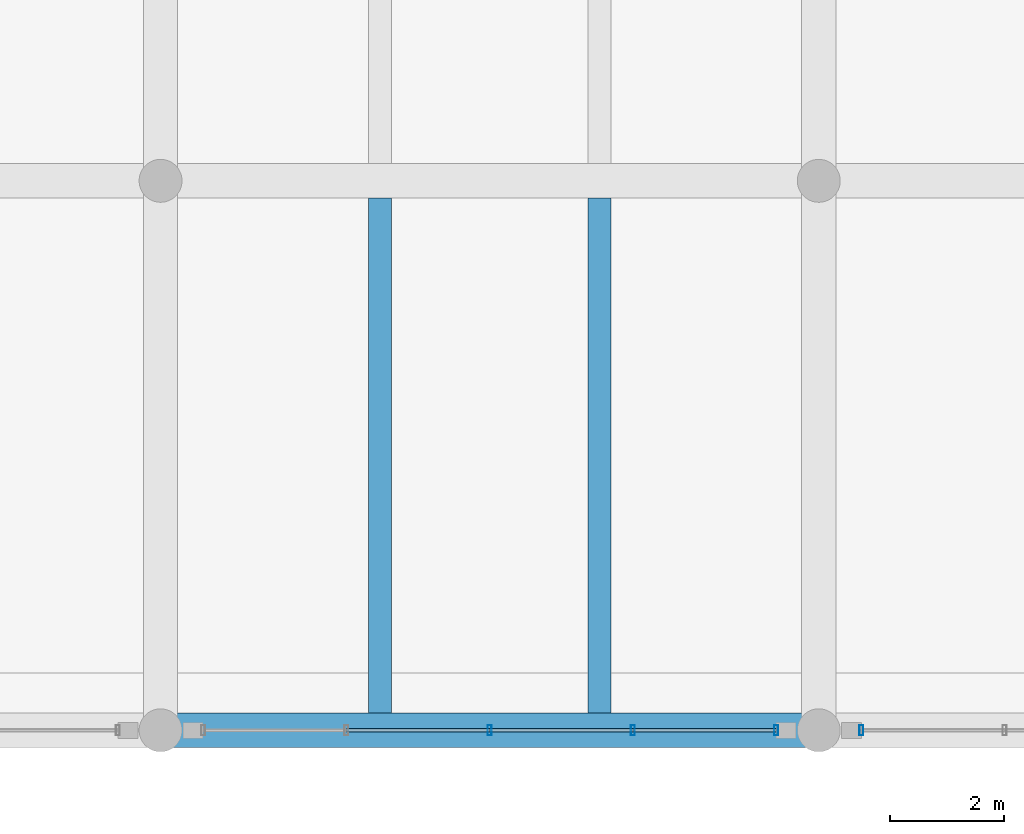
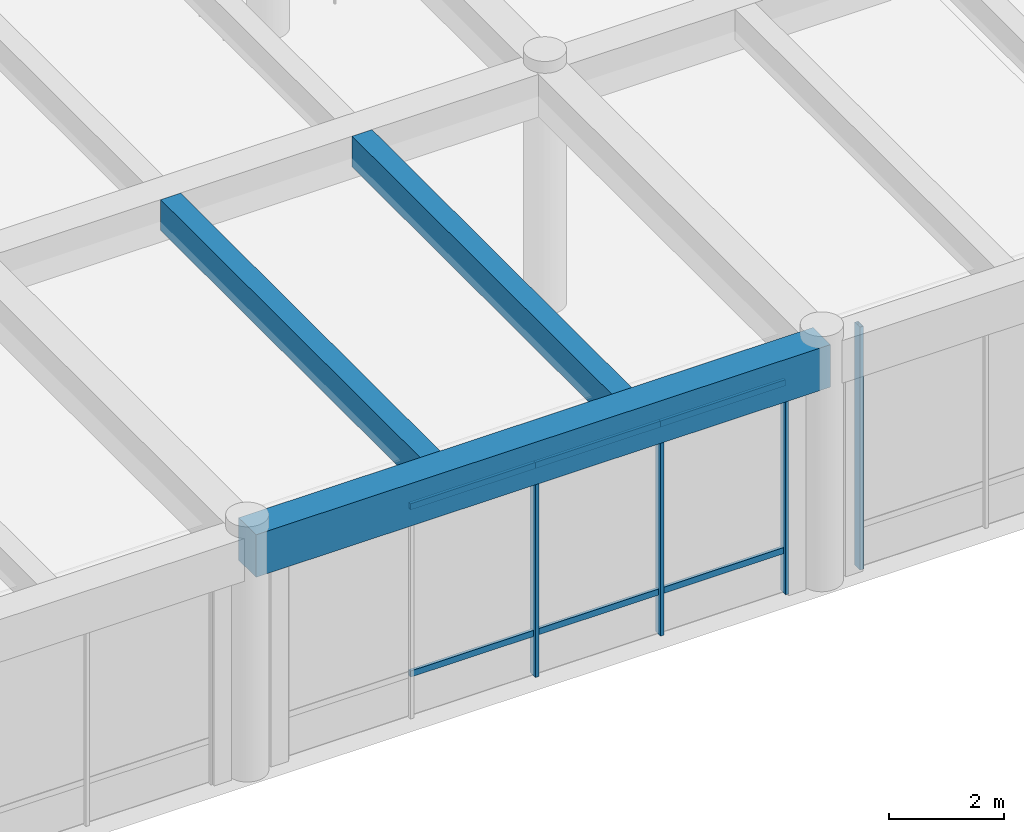
# One storey, part 36 of 148: 10 members, 3 beams, 2 elements without a shape of their own.
"""IFC4 building model written with IfcOpenShell, lengths in metres."""

from ifc_helpers import new_model, si_unit, direction, frame, origin, origin_2d, place, context, subcontext, project, spatial, rectangle, hollow_rectangle, extrude, material, material_profile, profile_set, type_object, element, aggregate, save


model = new_model("IFC4")

# Units and contexts
model_context = context("Model", 3, precision=1e-05, world=origin(), true_north=direction((0.0, 1.0)))
body_context = subcontext(model_context, "Body", "Model", "MODEL_VIEW")
ifc_project = project(units=[si_unit("LENGTHUNIT", "METRE"), si_unit("AREAUNIT", "SQUARE_METRE"), si_unit("VOLUMEUNIT", "CUBIC_METRE"), si_unit("PLANEANGLEUNIT", "RADIAN"), si_unit("MASSUNIT", "GRAM", prefix="KILO")], contexts=[model_context])

# Site, building, storey
site_placement = place(None, origin())
site = spatial("IfcSite", under=ifc_project, at=site_placement, CompositionType="ELEMENT")
building_placement = place(site_placement, origin())
building = spatial("IfcBuilding", under=site, at=building_placement, Name="Ologun Quay Terminus", CompositionType="ELEMENT")
storey_placement = place(building_placement, frame((0.0, 0.0, 8.39990234375)))
storey = spatial("IfcBuildingStorey", under=building, at=storey_placement, Name="L02", CompositionType="ELEMENT", Elevation=8.39990234375)

# Curtain wall, members
ifc_material_1 = material(Name="Aluminium 6063-T6", Category="aluminium")
curtain_wall_type = type_object("IfcCurtainWallType", Name="Concourse Departure Curtain Wall 10700x4950", PredefinedType="USERDEFINED", material=ifc_material_1)
curtain_wall_1_placement = place(storey_placement, origin())
curtain_wall_1 = element("IfcCurtainWall", 1, at=curtain_wall_1_placement, inside=storey, type_object=curtain_wall_type, Name="CW-05 Curtain Wall CW-L02-027", ObjectType="UNITISED CURTAIN WALL", PredefinedType="USERDEFINED")
ifc_material_2 = material(Name="Aluminium 6063-T6", Category="aluminium")
ifc_material_profile_1 = material_profile(ifc_material_2, hollow_rectangle(XDim=0.070068359375, YDim=0.179931640625, WallThickness=0.0048828125, at=origin_2d()), Name="ALU 180x70x5")
ifc_profile_set_1 = profile_set([ifc_material_profile_1], Name="Aluminium 6063-T6")
member_type_1 = type_object("IfcMemberType", Name="Curtain Wall Heavy Mullion 180x70", PredefinedType="MULLION", material=ifc_profile_set_1)
member_1_placement = place(storey_placement, frame((97.75, 8.0, 0.0), z_axis=(0.0, 0.0, 1.0), x_axis=(1.0, 0.0, 0.0)))
member_1 = element("IfcMember", 2, at=member_1_placement, type_object=member_type_1, Name="CW-L02-027 Mullion 3", PredefinedType="MULLION", context=body_context, shape_type="SweptSolid", body=[
    extrude(hollow_rectangle(XDim=0.070068359375, YDim=0.179931640625, WallThickness=0.0048828125, at=origin_2d()), origin(), (0.0, 0.0, 1.0), 5.14013671875),
])
member_2_placement = place(storey_placement, frame((100.25244140625, 8.0, 0.0), z_axis=(0.0, 0.0, 1.0), x_axis=(1.0, 0.0, 0.0)))
member_2 = element("IfcMember", 3, at=member_2_placement, type_object=member_type_1, Name="CW-L02-027 Mullion 4", PredefinedType="MULLION", context=body_context, shape_type="SweptSolid", body=[
    extrude(hollow_rectangle(XDim=0.070068359375, YDim=0.179931640625, WallThickness=0.0048828125, at=origin_2d()), origin(), (0.0, 0.0, 1.0), 5.14013671875),
])
member_3_placement = place(storey_placement, frame((102.7548828125, 8.0, 0.0), z_axis=(0.0, 0.0, 1.0), x_axis=(1.0, 0.0, 0.0)))
member_3 = element("IfcMember", 4, at=member_3_placement, type_object=member_type_1, Name="CW-L02-027 Mullion 5", PredefinedType="MULLION", context=body_context, shape_type="SweptSolid", body=[
    extrude(hollow_rectangle(XDim=0.070068359375, YDim=0.179931640625, WallThickness=0.0048828125, at=origin_2d()), origin(), (0.0, 0.0, 1.0), 5.14013671875),
])

# Curtain wall, member
curtain_wall_2_placement = place(storey_placement, origin())
curtain_wall_2 = element("IfcCurtainWall", 5, at=curtain_wall_2_placement, inside=storey, type_object=curtain_wall_type, Name="CW-05 Curtain Wall CW-L02-028", ObjectType="UNITISED CURTAIN WALL", PredefinedType="USERDEFINED")
member_4_placement = place(storey_placement, frame((104.2451171875, 8.0, 0.0), z_axis=(0.0, 0.0, 1.0), x_axis=(1.0, 0.0, 0.0)))
member_4 = element("IfcMember", 6, at=member_4_placement, type_object=member_type_1, Name="CW-L02-028 Mullion 1", PredefinedType="MULLION", context=body_context, shape_type="SweptSolid", body=[
    extrude(hollow_rectangle(XDim=0.070068359375, YDim=0.179931640625, WallThickness=0.0048828125, at=origin_2d()), origin(), (0.0, 0.0, 1.0), 5.14013671875),
])
aggregate(curtain_wall_2, [member_4])

# Member
ifc_material_3 = material(Name="Aluminium 6063-T6", Category="aluminium")
ifc_material_profile_2 = material_profile(ifc_material_3, hollow_rectangle(XDim=0.06005859375, YDim=0.1298828125, WallThickness=0.00390625, at=origin_2d()), Name="ALU 130x60x4")
ifc_profile_set_2 = profile_set([ifc_material_profile_2], Name="Aluminium 6063-T6")
member_type_2 = type_object("IfcMemberType", Name="Curtain Wall Heavy Transom 130x60", PredefinedType="USERDEFINED", material=ifc_profile_set_2)
member_5_placement = place(storey_placement, frame((95.24755859375, 8.0, 0.900146484375), z_axis=(1.0, 0.0, 0.0), x_axis=(0.0, 1.0, 0.0)))
member_5 = element("IfcMember", 7, at=member_5_placement, type_object=member_type_2, Name="CW-L02-027 Transom B2-1", ObjectType="TRANSOM", PredefinedType="USERDEFINED", context=body_context, shape_type="SweptSolid", body=[
    extrude(hollow_rectangle(XDim=0.06005859375, YDim=0.1298828125, WallThickness=0.00390625, at=origin_2d()), origin(), (0.0, 0.0, 1.0), 2.50244140625),
])

member_6_placement = place(storey_placement, frame((95.24755859375, 8.0, 4.440185546875), z_axis=(1.0, 0.0, 0.0), x_axis=(0.0, 1.0, 0.0)))
member_6 = element("IfcMember", 8, at=member_6_placement, type_object=member_type_2, Name="CW-L02-027 Transom B2-2", ObjectType="TRANSOM", PredefinedType="USERDEFINED", context=body_context, shape_type="SweptSolid", body=[
    extrude(hollow_rectangle(XDim=0.06005859375, YDim=0.1298828125, WallThickness=0.00390625, at=origin_2d()), origin(), (0.0, 0.0, 1.0), 2.50244140625),
])

member_7_placement = place(storey_placement, frame((97.75, 8.0, 0.900146484375), z_axis=(1.0, 0.0, 0.0), x_axis=(0.0, 1.0, 0.0)))
member_7 = element("IfcMember", 9, at=member_7_placement, type_object=member_type_2, Name="CW-L02-027 Transom B3-1", ObjectType="TRANSOM", PredefinedType="USERDEFINED", context=body_context, shape_type="SweptSolid", body=[
    extrude(hollow_rectangle(XDim=0.06005859375, YDim=0.1298828125, WallThickness=0.00390625, at=origin_2d()), origin(), (0.0, 0.0, 1.0), 2.50244140625),
])

member_8_placement = place(storey_placement, frame((97.75, 8.0, 4.440185546875), z_axis=(1.0, 0.0, 0.0), x_axis=(0.0, 1.0, 0.0)))
member_8 = element("IfcMember", 10, at=member_8_placement, type_object=member_type_2, Name="CW-L02-027 Transom B3-2", ObjectType="TRANSOM", PredefinedType="USERDEFINED", context=body_context, shape_type="SweptSolid", body=[
    extrude(hollow_rectangle(XDim=0.06005859375, YDim=0.1298828125, WallThickness=0.00390625, at=origin_2d()), origin(), (0.0, 0.0, 1.0), 2.50244140625),
])

member_9_placement = place(storey_placement, frame((100.25244140625, 8.0, 0.900146484375), z_axis=(1.0, 0.0, 0.0), x_axis=(0.0, 1.0, 0.0)))
member_9 = element("IfcMember", 11, at=member_9_placement, type_object=member_type_2, Name="CW-L02-027 Transom B4-1", ObjectType="TRANSOM", PredefinedType="USERDEFINED", context=body_context, shape_type="SweptSolid", body=[
    extrude(hollow_rectangle(XDim=0.06005859375, YDim=0.1298828125, WallThickness=0.00390625, at=origin_2d()), origin(), (0.0, 0.0, 1.0), 2.50244140625),
])

member_10_placement = place(storey_placement, frame((100.25244140625, 8.0, 4.440185546875), z_axis=(1.0, 0.0, 0.0), x_axis=(0.0, 1.0, 0.0)))
member_10 = element("IfcMember", 12, at=member_10_placement, type_object=member_type_2, Name="CW-L02-027 Transom B4-2", ObjectType="TRANSOM", PredefinedType="USERDEFINED", context=body_context, shape_type="SweptSolid", body=[
    extrude(hollow_rectangle(XDim=0.06005859375, YDim=0.1298828125, WallThickness=0.00390625, at=origin_2d()), origin(), (0.0, 0.0, 1.0), 2.50244140625),
])

aggregate(curtain_wall_1, [member_1, member_2, member_3, member_5, member_6, member_7, member_8, member_9, member_10])

# Beams
ifc_material_4 = material(Name="Concrete C40/50", Category="concrete")
ifc_material_profile_3 = material_profile(ifc_material_4, rectangle(XDim=0.60009765625, YDim=0.89990234375, at=origin_2d()), Name="RC 600x900")
ifc_profile_set_3 = profile_set([ifc_material_profile_3], Name="Concrete C40/50")
beam_type_1 = type_object("IfcBeamType", Name="Station Frame Girder 600x900", PredefinedType="BEAM", material=ifc_profile_set_3)
beam_placement = place(storey_placement, frame((92.0, 8.0, 4.7001953125), z_axis=(1.0, 0.0, 0.0), x_axis=(0.0, 1.0, 0.0)))
element("IfcBeam", 13, at=beam_placement, inside=storey, type_object=beam_type_1, Name="B3 Beam 9/B L02", PredefinedType="BEAM", context=body_context, shape_type="SweptSolid", body=[
    extrude(rectangle(XDim=0.60009765625, YDim=0.89990234375, at=origin_2d()), origin(), (0.0, 0.0, 1.0), 11.5),
])
ifc_material_5 = material(Name="Concrete C40/50", Category="concrete")
ifc_material_profile_4 = material_profile(ifc_material_5, rectangle(XDim=0.39990234375, YDim=0.64990234375, at=origin_2d()), Name="RC 400x650")
ifc_profile_set_4 = profile_set([ifc_material_profile_4], Name="Concrete C40/50")
beam_type_2 = type_object("IfcBeamType", Name="Station Secondary Joist 400x650", PredefinedType="JOIST", material=ifc_profile_set_4)
for number, where, z_axis, x_axis, name in (
    (14, (95.833251953125, 8.300048828125, 4.8251953125), (0.0, 1.0, 0.0), (-1.0, 0.0, 0.0), "J1 Beam 9/B L02"),
    (15, (99.666748046875, 8.300048828125, 4.8251953125), (0.0, 1.0, 0.0), (-1.0, 0.0, 0.0), "J1 Beam 9/B L02"),
):
    element("IfcBeam", number, at=place(storey_placement, frame(where, z_axis=z_axis, x_axis=x_axis)), inside=storey, type_object=beam_type_2, Name=name, PredefinedType="JOIST", context=body_context, shape_type="SweptSolid", body=[
        extrude(rectangle(XDim=0.39990234375, YDim=0.64990234375, at=origin_2d()), origin(), (0.0, 0.0, 1.0), 9.0),
    ])

save(model, "model.ifc")
